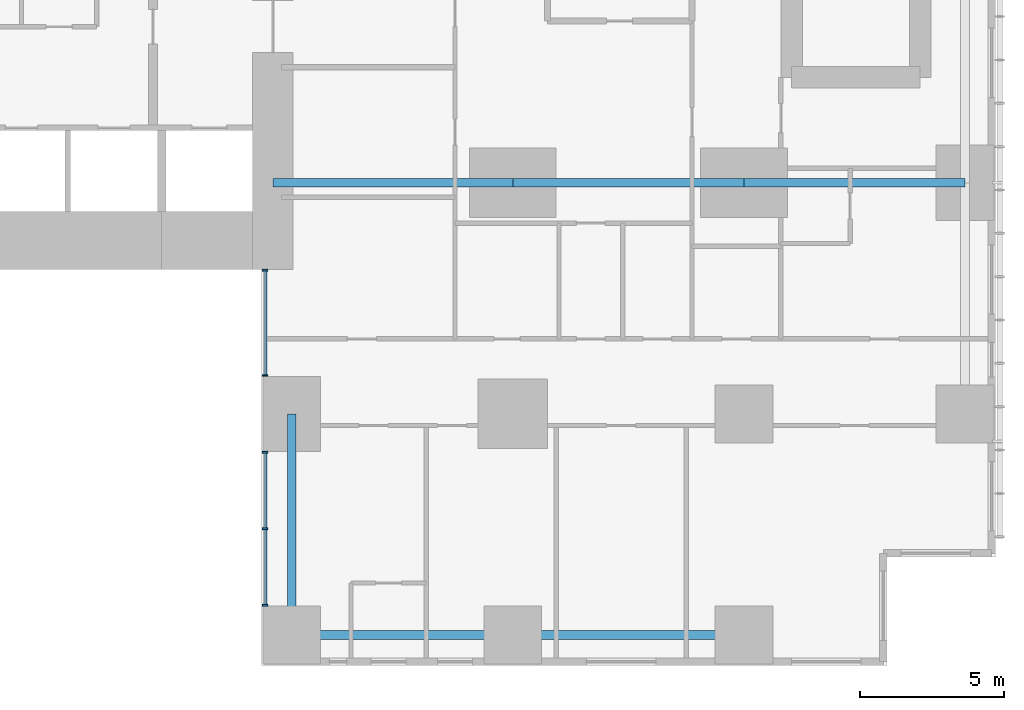
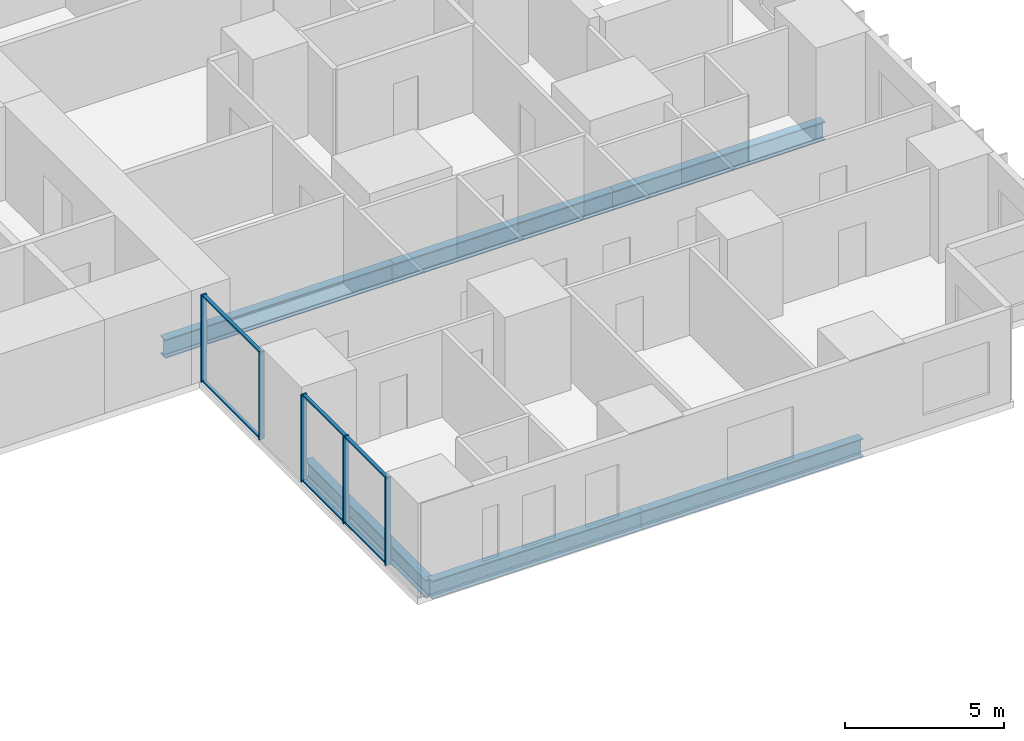
# One storey, part 3 of 20: 11 members, 6 beams, 2 elements without a shape of their own.
"""IFC4 building model written with IfcOpenShell, lengths in metres."""

from ifc_helpers import new_model, si_unit, direction, frame, origin, origin_2d, place, context, subcontext, project, spatial, rectangle, i_section, extrude, material, layer, layer_set, material_profile, profile_set, type_object, element, aggregate, save


model = new_model("IFC4")

# Units and contexts
model_context = context("Model", 3, precision=1e-05, world=origin(), true_north=direction((0.0, 1.0)))
body_context = subcontext(model_context, "Body", "Model", "MODEL_VIEW")
ifc_project = project(units=[si_unit("LENGTHUNIT", "METRE"), si_unit("AREAUNIT", "SQUARE_METRE"), si_unit("VOLUMEUNIT", "CUBIC_METRE"), si_unit("PLANEANGLEUNIT", "RADIAN"), si_unit("MASSUNIT", "GRAM", prefix="KILO")], contexts=[model_context])

# Site, building, storey
site_placement = place(None, origin())
site = spatial("IfcSite", under=ifc_project, at=site_placement, CompositionType="ELEMENT")
building_placement = place(site_placement, origin())
building = spatial("IfcBuilding", under=site, at=building_placement, Name="Cleftline Residences", CompositionType="ELEMENT")
storey_placement = place(building_placement, frame((0.0, 0.0, 44.0)))
storey = spatial("IfcBuildingStorey", under=building, at=storey_placement, Name="L10", CompositionType="ELEMENT", Elevation=44.0)

# Beams
ifc_material_1 = material(Name="Steel S355", Category="steel")
ifc_material_profile_1 = material_profile(ifc_material_1, i_section(OverallWidth=0.300048828125, OverallDepth=0.699951171875, WebThickness=0.01708984375, FlangeThickness=0.031982421875, FilletRadius=0.027099609375, at=origin_2d()))
ifc_profile_set_1 = profile_set([ifc_material_profile_1], Name="Steel S355")
beam_type_1 = type_object("IfcBeamType", Name="BEAM HEB 700", PredefinedType="BEAM", material=ifc_profile_set_1)
beam_1_placement = place(storey_placement, frame((58.0, 0.35009765625, -0.60009765625), z_axis=(-1.0, 0.0, 0.0), x_axis=(0.0, -1.0, 0.0)))
element("IfcBeam", 1, at=beam_1_placement, inside=storey, type_object=beam_type_1, Name="Edge beam", PredefinedType="BEAM", context=body_context, shape_type="SweptSolid", body=[
    extrude(i_section(OverallWidth=0.300048828125, OverallDepth=0.699951171875, WebThickness=0.01708984375, FlangeThickness=0.031982421875, FilletRadius=0.027099609375, at=origin_2d()), origin(), (0.0, 0.0, 1.0), 8.0),
])
for number, where, z_axis, x_axis, name in (
    (2, (50.0, 0.35009765625, -0.60009765625), (-1.0, 0.0, 0.0), (0.0, -1.0, 0.0), "Edge beam"),
    (3, (42.35009765625, 0.35009765625, -0.60009765625), (0.0, 1.0, 0.0), (-1.0, 0.0, 0.0), "Edge beam"),
):
    element("IfcBeam", number, at=place(storey_placement, frame(where, z_axis=z_axis, x_axis=x_axis)), inside=storey, type_object=beam_type_1, Name=name, PredefinedType="BEAM", context=body_context, shape_type="SweptSolid", body=[
        extrude(i_section(OverallWidth=0.300048828125, OverallDepth=0.699951171875, WebThickness=0.01708984375, FlangeThickness=0.031982421875, FilletRadius=0.027099609375, at=origin_2d()), origin(), (0.0, 0.0, 1.0), 7.64990234375),
    ])
ifc_material_2 = material(Name="Steel S355", Category="steel")
ifc_material_profile_2 = material_profile(ifc_material_2, i_section(OverallWidth=0.303955078125, OverallDepth=0.716064453125, WebThickness=0.02099609375, FlangeThickness=0.0400390625, FilletRadius=0.027099609375, at=origin_2d()))
ifc_profile_set_2 = profile_set([ifc_material_profile_2], Name="Steel S355")
beam_type_2 = type_object("IfcBeamType", Name="BEAM HEM 700", PredefinedType="BEAM", material=ifc_profile_set_2)
beam_2_placement = place(storey_placement, frame((65.64990234375, 16.0, -0.60791015625), z_axis=(-1.0, 0.0, 0.0), x_axis=(0.0, -1.0, 0.0)))
element("IfcBeam", 4, at=beam_2_placement, inside=storey, type_object=beam_type_2, Name="Band beam", PredefinedType="BEAM", context=body_context, shape_type="SweptSolid", body=[
    extrude(i_section(OverallWidth=0.303955078125, OverallDepth=0.716064453125, WebThickness=0.02099609375, FlangeThickness=0.0400390625, FilletRadius=0.027099609375, at=origin_2d()), origin(), (0.0, 0.0, 1.0), 7.64990234375),
])
beam_3_placement = place(storey_placement, frame((58.0, 16.0, -0.60791015625), z_axis=(-1.0, 0.0, 0.0), x_axis=(0.0, -1.0, 0.0)))
element("IfcBeam", 5, at=beam_3_placement, inside=storey, type_object=beam_type_2, Name="Band beam", PredefinedType="BEAM", context=body_context, shape_type="SweptSolid", body=[
    extrude(i_section(OverallWidth=0.303955078125, OverallDepth=0.716064453125, WebThickness=0.02099609375, FlangeThickness=0.0400390625, FilletRadius=0.027099609375, at=origin_2d()), origin(), (0.0, 0.0, 1.0), 8.0),
])
beam_4_placement = place(storey_placement, frame((50.0, 16.0, -0.60791015625), z_axis=(-1.0, 0.0, 0.0), x_axis=(0.0, -1.0, 0.0)))
element("IfcBeam", 6, at=beam_4_placement, inside=storey, type_object=beam_type_2, Name="Band beam", PredefinedType="BEAM", context=body_context, shape_type="SweptSolid", body=[
    extrude(i_section(OverallWidth=0.303955078125, OverallDepth=0.716064453125, WebThickness=0.02099609375, FlangeThickness=0.0400390625, FilletRadius=0.027099609375, at=origin_2d()), origin(), (0.0, 0.0, 1.0), 8.300048828125),
])

# Curtain wall, members
ifc_material_3 = material(Name="Aluminium framed curtain wall", Category="aluminium")
ifc_layer = layer(ifc_material_3, 0.199951171875)
ifc_layer_set = layer_set([ifc_layer], Name="CW1 CLEFT GLAZING")
curtain_wall_type = type_object("IfcCurtainWallType", Name="CW1 CLEFT GLAZING", PredefinedType="NOTDEFINED", material=ifc_layer_set)
curtain_wall_1_placement = place(storey_placement, origin())
curtain_wall_1 = element("IfcCurtainWall", 7, at=curtain_wall_1_placement, inside=storey, type_object=curtain_wall_type, Name="Curtain wall CW1", PredefinedType="NOTDEFINED")
ifc_material_4 = material(Name="Aluminium mullion", Category="aluminium")
ifc_material_profile_3 = material_profile(ifc_material_4, rectangle(XDim=0.199951171875, YDim=0.06005859375, at=origin_2d()))
ifc_profile_set_3 = profile_set([ifc_material_profile_3], Name="Aluminium mullion")
member_type_1 = type_object("IfcMemberType", Name="CW1 MULLION", PredefinedType="MULLION", material=ifc_profile_set_3)
member_1_placement = place(storey_placement, frame((41.425048828125, 12.969970703125, 0.0), z_axis=(0.0, 0.0, 1.0), x_axis=(1.0, 0.0, 0.0)))
member_1 = element("IfcMember", 8, at=member_1_placement, type_object=member_type_1, Name="CW1 mullion 1", PredefinedType="MULLION", context=body_context, shape_type="SweptSolid", body=[
    extrude(rectangle(XDim=0.199951171875, YDim=0.06005859375, at=origin_2d()), origin(), (0.0, 0.0, 1.0), 3.35009765625),
])
member_2_placement = place(storey_placement, frame((41.425048828125, 9.330078125, 0.0), z_axis=(0.0, 0.0, 1.0), x_axis=(1.0, 0.0, 0.0)))
member_2 = element("IfcMember", 9, at=member_2_placement, type_object=member_type_1, Name="CW1 mullion 2", PredefinedType="MULLION", context=body_context, shape_type="SweptSolid", body=[
    extrude(rectangle(XDim=0.199951171875, YDim=0.06005859375, at=origin_2d()), origin(), (0.0, 0.0, 1.0), 3.35009765625),
])

curtain_wall_2_placement = place(storey_placement, origin())
curtain_wall_2 = element("IfcCurtainWall", 10, at=curtain_wall_2_placement, inside=storey, type_object=curtain_wall_type, Name="Curtain wall CW1", PredefinedType="NOTDEFINED")
member_3_placement = place(storey_placement, frame((41.425048828125, 6.669921875, 0.0), z_axis=(0.0, 0.0, 1.0), x_axis=(1.0, 0.0, 0.0)))
member_3 = element("IfcMember", 11, at=member_3_placement, type_object=member_type_1, Name="CW1 mullion 1", PredefinedType="MULLION", context=body_context, shape_type="SweptSolid", body=[
    extrude(rectangle(XDim=0.199951171875, YDim=0.06005859375, at=origin_2d()), origin(), (0.0, 0.0, 1.0), 3.35009765625),
])
member_4_placement = place(storey_placement, frame((41.425048828125, 4.02490234375, 0.0), z_axis=(0.0, 0.0, 1.0), x_axis=(1.0, 0.0, 0.0)))
member_4 = element("IfcMember", 12, at=member_4_placement, type_object=member_type_1, Name="CW1 mullion 2", PredefinedType="MULLION", context=body_context, shape_type="SweptSolid", body=[
    extrude(rectangle(XDim=0.199951171875, YDim=0.06005859375, at=origin_2d()), origin(), (0.0, 0.0, 1.0), 3.35009765625),
])
member_5_placement = place(storey_placement, frame((41.425048828125, 1.3798828125, 0.0), z_axis=(0.0, 0.0, 1.0), x_axis=(1.0, 0.0, 0.0)))
member_5 = element("IfcMember", 13, at=member_5_placement, type_object=member_type_1, Name="CW1 mullion 3", PredefinedType="MULLION", context=body_context, shape_type="SweptSolid", body=[
    extrude(rectangle(XDim=0.199951171875, YDim=0.06005859375, at=origin_2d()), origin(), (0.0, 0.0, 1.0), 3.35009765625),
])

# Member
ifc_material_5 = material(Name="Aluminium transom", Category="aluminium")
ifc_material_profile_4 = material_profile(ifc_material_5, rectangle(XDim=0.1201171875, YDim=0.06005859375, at=origin_2d()))
ifc_profile_set_4 = profile_set([ifc_material_profile_4], Name="Aluminium transom")
member_type_2 = type_object("IfcMemberType", Name="CW1 TRANSOM", PredefinedType="USERDEFINED", material=ifc_profile_set_4)
member_6_placement = place(storey_placement, frame((41.425048828125, 12.93994140625, 0.030029296875), z_axis=(0.0, -1.0, 0.0), x_axis=(1.0, 0.0, 0.0)))
member_6 = element("IfcMember", 14, at=member_6_placement, type_object=member_type_2, Name="CW1 transom 1.1", ObjectType="TRANSOM", PredefinedType="USERDEFINED", context=body_context, shape_type="SweptSolid", body=[
    extrude(rectangle(XDim=0.1201171875, YDim=0.06005859375, at=origin_2d()), origin(), (0.0, 0.0, 1.0), 3.579833984375),
])

member_7_placement = place(storey_placement, frame((41.425048828125, 12.93994140625, 3.320068359375), z_axis=(0.0, -1.0, 0.0), x_axis=(1.0, 0.0, 0.0)))
member_7 = element("IfcMember", 15, at=member_7_placement, type_object=member_type_2, Name="CW1 transom 1.2", ObjectType="TRANSOM", PredefinedType="USERDEFINED", context=body_context, shape_type="SweptSolid", body=[
    extrude(rectangle(XDim=0.1201171875, YDim=0.06005859375, at=origin_2d()), origin(), (0.0, 0.0, 1.0), 3.579833984375),
])

aggregate(curtain_wall_1, [member_1, member_2, member_6, member_7])

member_8_placement = place(storey_placement, frame((41.425048828125, 6.639892578125, 0.030029296875), z_axis=(0.0, -1.0, 0.0), x_axis=(1.0, 0.0, 0.0)))
member_8 = element("IfcMember", 16, at=member_8_placement, type_object=member_type_2, Name="CW1 transom 1.1", ObjectType="TRANSOM", PredefinedType="USERDEFINED", context=body_context, shape_type="SweptSolid", body=[
    extrude(rectangle(XDim=0.1201171875, YDim=0.06005859375, at=origin_2d()), origin(), (0.0, 0.0, 1.0), 2.5849609375),
])

member_9_placement = place(storey_placement, frame((41.425048828125, 6.639892578125, 3.320068359375), z_axis=(0.0, -1.0, 0.0), x_axis=(1.0, 0.0, 0.0)))
member_9 = element("IfcMember", 17, at=member_9_placement, type_object=member_type_2, Name="CW1 transom 1.2", ObjectType="TRANSOM", PredefinedType="USERDEFINED", context=body_context, shape_type="SweptSolid", body=[
    extrude(rectangle(XDim=0.1201171875, YDim=0.06005859375, at=origin_2d()), origin(), (0.0, 0.0, 1.0), 2.5849609375),
])

member_10_placement = place(storey_placement, frame((41.425048828125, 3.9951171875, 0.030029296875), z_axis=(0.0, -1.0, 0.0), x_axis=(1.0, 0.0, 0.0)))
member_10 = element("IfcMember", 18, at=member_10_placement, type_object=member_type_2, Name="CW1 transom 2.1", ObjectType="TRANSOM", PredefinedType="USERDEFINED", context=body_context, shape_type="SweptSolid", body=[
    extrude(rectangle(XDim=0.1201171875, YDim=0.06005859375, at=origin_2d()), origin(), (0.0, 0.0, 1.0), 2.585205078125),
])

member_11_placement = place(storey_placement, frame((41.425048828125, 3.9951171875, 3.320068359375), z_axis=(0.0, -1.0, 0.0), x_axis=(1.0, 0.0, 0.0)))
member_11 = element("IfcMember", 19, at=member_11_placement, type_object=member_type_2, Name="CW1 transom 2.2", ObjectType="TRANSOM", PredefinedType="USERDEFINED", context=body_context, shape_type="SweptSolid", body=[
    extrude(rectangle(XDim=0.1201171875, YDim=0.06005859375, at=origin_2d()), origin(), (0.0, 0.0, 1.0), 2.585205078125),
])

aggregate(curtain_wall_2, [member_3, member_4, member_5, member_8, member_9, member_10, member_11])

save(model, "model.ifc")
